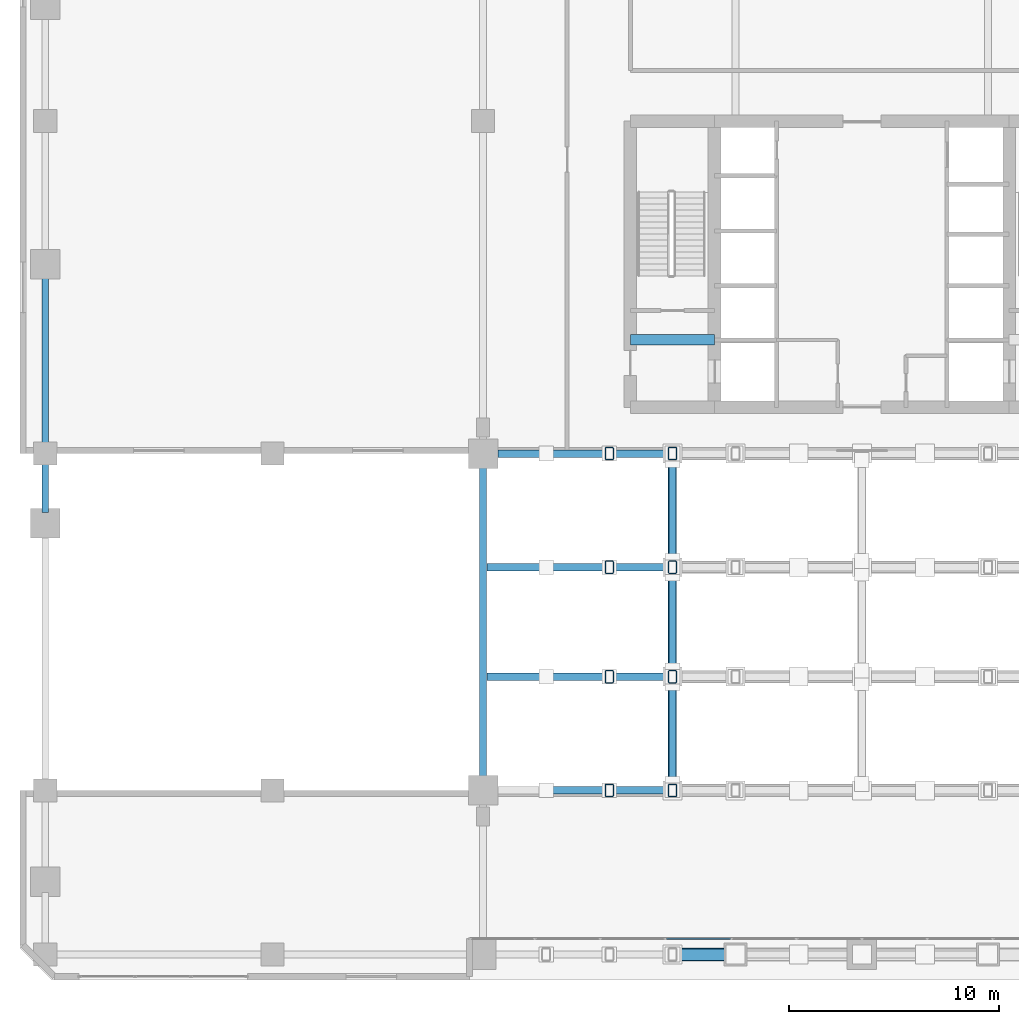
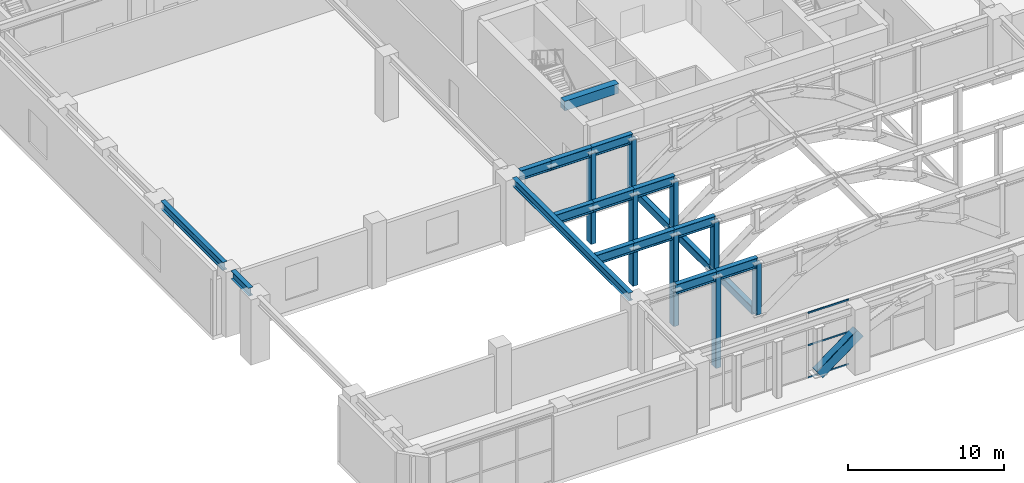
# One storey, part 6 of 32: 15 beams, 15 members, 1 element without a shape of its own.
"""IFC4 building model written with IfcOpenShell, lengths in metres."""

from ifc_helpers import new_model, si_unit, direction, frame, origin, origin_2d, place, context, subcontext, project, spatial, rectangle, hollow_rectangle, i_section, extrude, material, layer, layer_set, material_profile, profile_set, type_object, element, aggregate, save


model = new_model("IFC4")

# Units and contexts
model_context = context("Model", 3, precision=1e-05, world=origin(), true_north=direction((0.0, 1.0)))
body_context = subcontext(model_context, "Body", "Model", "MODEL_VIEW")
ifc_project = project(units=[si_unit("LENGTHUNIT", "METRE"), si_unit("AREAUNIT", "SQUARE_METRE"), si_unit("VOLUMEUNIT", "CUBIC_METRE"), si_unit("PLANEANGLEUNIT", "RADIAN"), si_unit("MASSUNIT", "GRAM", prefix="KILO")], contexts=[model_context])

# Site, building, storey
site_placement = place(None, origin())
site = spatial("IfcSite", under=ifc_project, at=site_placement, CompositionType="ELEMENT")
building_placement = place(site_placement, origin())
building = spatial("IfcBuilding", under=site, at=building_placement, Name="Sarneth Arch Tower", CompositionType="ELEMENT")
storey_placement = place(building_placement, frame((0.0, 0.0, 11.39990234375)))
storey = spatial("IfcBuildingStorey", under=building, at=storey_placement, Name="L02", CompositionType="ELEMENT", Elevation=11.39990234375)

# Beams
ifc_material_1 = material(Name="Concrete C50/60", Category="concrete")
ifc_material_profile_1 = material_profile(ifc_material_1, rectangle(XDim=0.5, YDim=0.75, at=origin_2d()), Name="RC-500x750")
ifc_profile_set_1 = profile_set([ifc_material_profile_1], Name="Concrete C50/60")
beam_type_1 = type_object("IfcBeamType", Name="BM-LINTEL-RC", PredefinedType="LINTEL", material=ifc_profile_set_1)
beam_1_placement = place(storey_placement, frame((37.0, 38.39990234375, 4.72509765625), z_axis=(1.0, 0.0, 0.0), x_axis=(0.0, 1.0, 0.0)))
element("IfcBeam", 1, at=beam_1_placement, inside=storey, type_object=beam_type_1, Name="L02 Core coupling lintel W", PredefinedType="LINTEL", context=body_context, shape_type="SweptSolid", body=[
    extrude(rectangle(XDim=0.5, YDim=0.75, at=origin_2d()), origin(), (0.0, 0.0, 1.0), 4.0),
])
ifc_material_2 = material(Name="Steel S355", Category="steel")
ifc_material_profile_2 = material_profile(ifc_material_2, i_section(OverallWidth=0.3291015625, OverallDepth=0.635009765625, WebThickness=0.017822265625, FlangeThickness=0.031005859375, FilletRadius=0.01904296875, at=origin_2d()), Name="W610x241")
ifc_profile_set_2 = profile_set([ifc_material_profile_2], Name="Steel S355")
beam_type_2 = type_object("IfcBeamType", Name="BM-POD-610", PredefinedType="BEAM", material=ifc_profile_set_2)
beam_2_placement = place(storey_placement, frame((9.199951171875, 30.2021484375, 4.78271484375), z_axis=(0.0, 1.0, 0.0), x_axis=(-1.0, 0.0, 0.0)))
element("IfcBeam", 2, at=beam_2_placement, inside=storey, type_object=beam_type_2, Name="L02 Podium PW girder 4", PredefinedType="BEAM", context=body_context, shape_type="SweptSolid", body=[
    extrude(i_section(OverallWidth=0.3291015625, OverallDepth=0.635009765625, WebThickness=0.017822265625, FlangeThickness=0.031005859375, FilletRadius=0.01904296875, at=origin_2d()), origin(), (0.0, 0.0, 1.0), 2.27783203125),
])
beam_3_placement = place(storey_placement, frame((9.199951171875, 33.52001953125, 4.78271484375), z_axis=(0.0, 1.0, 0.0), x_axis=(-1.0, 0.0, 0.0)))
element("IfcBeam", 3, at=beam_3_placement, inside=storey, type_object=beam_type_2, Name="L02 Podium PW girder 5", PredefinedType="BEAM", context=body_context, shape_type="SweptSolid", body=[
    extrude(i_section(OverallWidth=0.3291015625, OverallDepth=0.635009765625, WebThickness=0.017822265625, FlangeThickness=0.031005859375, FilletRadius=0.01904296875, at=origin_2d()), origin(), (0.0, 0.0, 1.0), 7.9599609375),
])
beam_4_placement = place(storey_placement, frame((30.0, 17.550048828125, 4.78271484375), z_axis=(0.0, 1.0, 0.0), x_axis=(-1.0, 0.0, 0.0)))
element("IfcBeam", 4, at=beam_4_placement, inside=storey, type_object=beam_type_2, Name="L02 Podium N-S girder W30.2", PredefinedType="BEAM", context=body_context, shape_type="SweptSolid", body=[
    extrude(i_section(OverallWidth=0.3291015625, OverallDepth=0.635009765625, WebThickness=0.017822265625, FlangeThickness=0.031005859375, FilletRadius=0.01904296875, at=origin_2d()), origin(), (0.0, 0.0, 1.0), 14.89990234375),
])
ifc_material_3 = material(Name="Steel S355", Category="steel")
ifc_material_profile_3 = material_profile(ifc_material_3, i_section(OverallWidth=0.35009765625, OverallDepth=0.75, WebThickness=0.01611328125, FlangeThickness=0.028076171875, FilletRadius=0.01806640625, at=origin_2d()), Name="CVS750x268")
ifc_profile_set_3 = profile_set([ifc_material_profile_3], Name="Steel S355")
beam_type_3 = type_object("IfcBeamType", Name="BM-POD-750", PredefinedType="BEAM", material=ifc_profile_set_3)
for number, where, z_axis, x_axis, name in (
    (5, (33.0, 17.0, 4.72509765625), (1.0, 0.0, 0.0), (0.0, 1.0, 0.0), "Podium arch top tie girder 2.2"),
    (6, (36.0, 17.0, 4.72509765625), (1.0, 0.0, 0.0), (0.0, 1.0, 0.0), "Podium arch top tie girder 2.3"),
):
    element("IfcBeam", number, at=place(storey_placement, frame(where, z_axis=z_axis, x_axis=x_axis)), inside=storey, type_object=beam_type_3, Name=name, PredefinedType="BEAM", context=body_context, shape_type="SweptSolid", body=[
        extrude(i_section(OverallWidth=0.35009765625, OverallDepth=0.75, WebThickness=0.01611328125, FlangeThickness=0.028076171875, FilletRadius=0.01806640625, at=origin_2d()), origin(), (0.0, 0.0, 1.0), 3.0),
    ])
beam_5_placement = place(storey_placement, frame((30.179931640625, 22.39990234375, 4.72509765625), z_axis=(1.0, 0.0, 0.0), x_axis=(0.0, 1.0, 0.0)))
element("IfcBeam", 7, at=beam_5_placement, inside=storey, type_object=beam_type_3, Name="Podium arch top tie girder 3.1", PredefinedType="BEAM", context=body_context, shape_type="SweptSolid", body=[
    extrude(i_section(OverallWidth=0.35009765625, OverallDepth=0.75, WebThickness=0.01611328125, FlangeThickness=0.028076171875, FilletRadius=0.01806640625, at=origin_2d()), origin(), (0.0, 0.0, 1.0), 2.820068359375),
])
for number, where, z_axis, x_axis, name in (
    (8, (33.0, 22.39990234375, 4.72509765625), (1.0, 0.0, 0.0), (0.0, 1.0, 0.0), "Podium arch top tie girder 3.2"),
    (9, (36.0, 22.39990234375, 4.72509765625), (1.0, 0.0, 0.0), (0.0, 1.0, 0.0), "Podium arch top tie girder 3.3"),
):
    element("IfcBeam", number, at=place(storey_placement, frame(where, z_axis=z_axis, x_axis=x_axis)), inside=storey, type_object=beam_type_3, Name=name, PredefinedType="BEAM", context=body_context, shape_type="SweptSolid", body=[
        extrude(i_section(OverallWidth=0.35009765625, OverallDepth=0.75, WebThickness=0.01611328125, FlangeThickness=0.028076171875, FilletRadius=0.01806640625, at=origin_2d()), origin(), (0.0, 0.0, 1.0), 3.0),
    ])
beam_6_placement = place(storey_placement, frame((30.179931640625, 27.60009765625, 4.72509765625), z_axis=(1.0, 0.0, 0.0), x_axis=(0.0, 1.0, 0.0)))
element("IfcBeam", 10, at=beam_6_placement, inside=storey, type_object=beam_type_3, Name="Podium arch top tie girder 4.1", PredefinedType="BEAM", context=body_context, shape_type="SweptSolid", body=[
    extrude(i_section(OverallWidth=0.35009765625, OverallDepth=0.75, WebThickness=0.01611328125, FlangeThickness=0.028076171875, FilletRadius=0.01806640625, at=origin_2d()), origin(), (0.0, 0.0, 1.0), 2.820068359375),
])
for number, where, z_axis, x_axis, name in (
    (11, (33.0, 27.60009765625, 4.72509765625), (1.0, 0.0, 0.0), (0.0, 1.0, 0.0), "Podium arch top tie girder 4.2"),
    (12, (36.0, 27.60009765625, 4.72509765625), (1.0, 0.0, 0.0), (0.0, 1.0, 0.0), "Podium arch top tie girder 4.3"),
):
    element("IfcBeam", number, at=place(storey_placement, frame(where, z_axis=z_axis, x_axis=x_axis)), inside=storey, type_object=beam_type_3, Name=name, PredefinedType="BEAM", context=body_context, shape_type="SweptSolid", body=[
        extrude(i_section(OverallWidth=0.35009765625, OverallDepth=0.75, WebThickness=0.01611328125, FlangeThickness=0.028076171875, FilletRadius=0.01806640625, at=origin_2d()), origin(), (0.0, 0.0, 1.0), 3.0),
    ])
beam_7_placement = place(storey_placement, frame((30.699951171875, 33.0, 4.72509765625), z_axis=(1.0, 0.0, 0.0), x_axis=(0.0, 1.0, 0.0)))
element("IfcBeam", 13, at=beam_7_placement, inside=storey, type_object=beam_type_3, Name="Podium arch top tie girder 5.1", PredefinedType="BEAM", context=body_context, shape_type="SweptSolid", body=[
    extrude(i_section(OverallWidth=0.35009765625, OverallDepth=0.75, WebThickness=0.01611328125, FlangeThickness=0.028076171875, FilletRadius=0.01806640625, at=origin_2d()), origin(), (0.0, 0.0, 1.0), 2.300048828125),
])
for number, where, z_axis, x_axis, name in (
    (14, (33.0, 33.0, 4.72509765625), (1.0, 0.0, 0.0), (0.0, 1.0, 0.0), "Podium arch top tie girder 5.2"),
    (15, (36.0, 33.0, 4.72509765625), (1.0, 0.0, 0.0), (0.0, 1.0, 0.0), "Podium arch top tie girder 5.3"),
):
    element("IfcBeam", number, at=place(storey_placement, frame(where, z_axis=z_axis, x_axis=x_axis)), inside=storey, type_object=beam_type_3, Name=name, PredefinedType="BEAM", context=body_context, shape_type="SweptSolid", body=[
        extrude(i_section(OverallWidth=0.35009765625, OverallDepth=0.75, WebThickness=0.01611328125, FlangeThickness=0.028076171875, FilletRadius=0.01806640625, at=origin_2d()), origin(), (0.0, 0.0, 1.0), 3.0),
    ])

# Curtain wall, members
ifc_material_4 = material(Name="Anodised aluminium Type AA25 and solar-control low-e laminated IGU", Category="aluminium")
ifc_layer = layer(ifc_material_4, 0.199951171875)
ifc_layer_set = layer_set([ifc_layer], Name="Anodised aluminium Type AA25 and solar-control low-e laminated IGU")
curtain_wall_type = type_object("IfcCurtainWallType", Name="CW-ARCH-GLAZE", PredefinedType="NOTDEFINED", material=ifc_layer_set)
curtain_wall_placement = place(storey_placement, origin())
curtain_wall = element("IfcCurtainWall", 16, at=curtain_wall_placement, inside=storey, type_object=curtain_wall_type, Name="L02 South parabolic arch portal curtain wall", PredefinedType="NOTDEFINED")
ifc_material_5 = material(Name="Anodised Aluminium 6063-T6", Category="aluminium")
ifc_material_profile_4 = material_profile(ifc_material_5, hollow_rectangle(XDim=0.06005859375, YDim=0.1201171875, WallThickness=0.00390625, at=origin_2d()), Name="AL-TRAN-120x60x4")
ifc_profile_set_4 = profile_set([ifc_material_profile_4], Name="Anodised Aluminium 6063-T6")
member_type_1 = type_object("IfcMemberType", Name="CW-TRANSOM", PredefinedType="USERDEFINED", material=ifc_profile_set_4)
member_1_placement = place(storey_placement, frame((38.705078125, 9.949951171875, 0.030029296875), z_axis=(1.0, 0.0, 0.0), x_axis=(0.0, 1.0, 0.0)))
member_1 = element("IfcMember", 17, at=member_1_placement, type_object=member_type_1, Name="CW-SYS-2 transom 4.1", ObjectType="TRANSOM", PredefinedType="USERDEFINED", context=body_context, shape_type="SweptSolid", body=[
    extrude(hollow_rectangle(XDim=0.06005859375, YDim=0.1201171875, WallThickness=0.00390625, at=origin_2d()), origin(), (0.0, 0.0, 1.0), 3.04833984375),
])
member_2_placement = place(storey_placement, frame((38.705078125, 9.949951171875, 2.550048828125), z_axis=(1.0, 0.0, 0.0), x_axis=(0.0, 1.0, 0.0)))
member_2 = element("IfcMember", 18, at=member_2_placement, type_object=member_type_1, Name="CW-SYS-2 transom 4.2", ObjectType="TRANSOM", PredefinedType="USERDEFINED", context=body_context, shape_type="SweptSolid", body=[
    extrude(hollow_rectangle(XDim=0.06005859375, YDim=0.1201171875, WallThickness=0.00390625, at=origin_2d()), origin(), (0.0, 0.0, 1.0), 3.04833984375),
])
member_3_placement = place(storey_placement, frame((38.705078125, 9.949951171875, 5.070068359375), z_axis=(1.0, 0.0, 0.0), x_axis=(0.0, 1.0, 0.0)))
member_3 = element("IfcMember", 19, at=member_3_placement, type_object=member_type_1, Name="CW-SYS-2 transom 4.3", ObjectType="TRANSOM", PredefinedType="USERDEFINED", context=body_context, shape_type="SweptSolid", body=[
    extrude(hollow_rectangle(XDim=0.06005859375, YDim=0.1201171875, WallThickness=0.00390625, at=origin_2d()), origin(), (0.0, 0.0, 1.0), 3.04833984375),
])
aggregate(curtain_wall, [member_1, member_2, member_3])

# Members
ifc_material_6 = material(Name="Steel S355", Category="steel")
ifc_material_profile_5 = material_profile(ifc_material_6, hollow_rectangle(XDim=0.60009765625, YDim=0.800048828125, WallThickness=0.028076171875, InnerFilletRadius=0.0419921875, OuterFilletRadius=0.070068359375, at=origin_2d()), Name="RHS800x600x28")
ifc_profile_set_5 = profile_set([ifc_material_profile_5], Name="Steel S355")
member_type_2 = type_object("IfcMemberType", Name="MEM-ARCH-CHORD", PredefinedType="CHORD", material=ifc_profile_set_5)
member_4_placement = place(storey_placement, frame((39.0, 9.199951171875, 0.7314453125), z_axis=(0.804002053977, 0.0, 0.594626519087), x_axis=(0.0, 1.0, 0.0)))
element("IfcMember", 20, at=member_4_placement, inside=storey, type_object=member_type_2, Name="Podium parabolic arch rib 1 segment 4", PredefinedType="CHORD", context=body_context, shape_type="SweptSolid", body=[
    extrude(hollow_rectangle(XDim=0.60009765625, YDim=0.800048828125, WallThickness=0.028076171875, InnerFilletRadius=0.0419921875, OuterFilletRadius=0.070068359375, at=origin_2d()), origin(), (0.0, 0.0, 1.0), 3.7314453125),
])
ifc_material_7 = material(Name="Steel S355", Category="steel")
ifc_material_profile_6 = material_profile(ifc_material_7, hollow_rectangle(XDim=0.39990234375, YDim=0.60009765625, WallThickness=0.02197265625, InnerFilletRadius=0.032958984375, OuterFilletRadius=0.054931640625, at=origin_2d()), Name="RHS600x400x22")
ifc_profile_set_6 = profile_set([ifc_material_profile_6], Name="Steel S355")
member_type_3 = type_object("IfcMemberType", Name="MEM-ARCH-WEB", PredefinedType="BRACE", material=ifc_profile_set_6)
member_5_placement = place(storey_placement, frame((36.0, 17.0, -2.375), z_axis=(0.0, 0.0, 1.0), x_axis=(1.0, 0.0, 0.0)))
element("IfcMember", 21, at=member_5_placement, inside=storey, type_object=member_type_3, Name="Podium arch spandrel post 2.2", PredefinedType="BRACE", context=body_context, shape_type="SweptSolid", body=[
    extrude(hollow_rectangle(XDim=0.39990234375, YDim=0.60009765625, WallThickness=0.02197265625, InnerFilletRadius=0.032958984375, OuterFilletRadius=0.054931640625, at=origin_2d()), origin(), (0.0, 0.0, 1.0), 7.10009765625),
])
member_6_placement = place(storey_placement, frame((39.0, 17.0, 0.7314453125), z_axis=(0.0, 0.0, 1.0), x_axis=(1.0, 0.0, 0.0)))
element("IfcMember", 22, at=member_6_placement, inside=storey, type_object=member_type_3, Name="Podium arch spandrel post 2.3", PredefinedType="BRACE", context=body_context, shape_type="SweptSolid", body=[
    extrude(hollow_rectangle(XDim=0.39990234375, YDim=0.60009765625, WallThickness=0.02197265625, InnerFilletRadius=0.032958984375, OuterFilletRadius=0.054931640625, at=origin_2d()), origin(), (0.0, 0.0, 1.0), 3.99365234375),
])
member_7_placement = place(storey_placement, frame((36.0, 22.39990234375, -2.375), z_axis=(0.0, 0.0, 1.0), x_axis=(1.0, 0.0, 0.0)))
element("IfcMember", 23, at=member_7_placement, inside=storey, type_object=member_type_3, Name="Podium arch spandrel post 3.2", PredefinedType="BRACE", context=body_context, shape_type="SweptSolid", body=[
    extrude(hollow_rectangle(XDim=0.39990234375, YDim=0.60009765625, WallThickness=0.02197265625, InnerFilletRadius=0.032958984375, OuterFilletRadius=0.054931640625, at=origin_2d()), origin(), (0.0, 0.0, 1.0), 7.10009765625),
])
member_8_placement = place(storey_placement, frame((39.0, 22.39990234375, 0.7314453125), z_axis=(0.0, 0.0, 1.0), x_axis=(1.0, 0.0, 0.0)))
element("IfcMember", 24, at=member_8_placement, inside=storey, type_object=member_type_3, Name="Podium arch spandrel post 3.3", PredefinedType="BRACE", context=body_context, shape_type="SweptSolid", body=[
    extrude(hollow_rectangle(XDim=0.39990234375, YDim=0.60009765625, WallThickness=0.02197265625, InnerFilletRadius=0.032958984375, OuterFilletRadius=0.054931640625, at=origin_2d()), origin(), (0.0, 0.0, 1.0), 3.99365234375),
])
member_9_placement = place(storey_placement, frame((36.0, 27.60009765625, -2.375), z_axis=(0.0, 0.0, 1.0), x_axis=(1.0, 0.0, 0.0)))
element("IfcMember", 25, at=member_9_placement, inside=storey, type_object=member_type_3, Name="Podium arch spandrel post 4.2", PredefinedType="BRACE", context=body_context, shape_type="SweptSolid", body=[
    extrude(hollow_rectangle(XDim=0.39990234375, YDim=0.60009765625, WallThickness=0.02197265625, InnerFilletRadius=0.032958984375, OuterFilletRadius=0.054931640625, at=origin_2d()), origin(), (0.0, 0.0, 1.0), 7.10009765625),
])
member_10_placement = place(storey_placement, frame((39.0, 27.60009765625, 0.7314453125), z_axis=(0.0, 0.0, 1.0), x_axis=(1.0, 0.0, 0.0)))
element("IfcMember", 26, at=member_10_placement, inside=storey, type_object=member_type_3, Name="Podium arch spandrel post 4.3", PredefinedType="BRACE", context=body_context, shape_type="SweptSolid", body=[
    extrude(hollow_rectangle(XDim=0.39990234375, YDim=0.60009765625, WallThickness=0.02197265625, InnerFilletRadius=0.032958984375, OuterFilletRadius=0.054931640625, at=origin_2d()), origin(), (0.0, 0.0, 1.0), 3.99365234375),
])
member_11_placement = place(storey_placement, frame((36.0, 33.0, -2.375), z_axis=(0.0, 0.0, 1.0), x_axis=(1.0, 0.0, 0.0)))
element("IfcMember", 27, at=member_11_placement, inside=storey, type_object=member_type_3, Name="Podium arch spandrel post 5.2", PredefinedType="BRACE", context=body_context, shape_type="SweptSolid", body=[
    extrude(hollow_rectangle(XDim=0.39990234375, YDim=0.60009765625, WallThickness=0.02197265625, InnerFilletRadius=0.032958984375, OuterFilletRadius=0.054931640625, at=origin_2d()), origin(), (0.0, 0.0, 1.0), 7.10009765625),
])
member_12_placement = place(storey_placement, frame((39.0, 33.0, 0.7314453125), z_axis=(0.0, 0.0, 1.0), x_axis=(1.0, 0.0, 0.0)))
element("IfcMember", 28, at=member_12_placement, inside=storey, type_object=member_type_3, Name="Podium arch spandrel post 5.3", PredefinedType="BRACE", context=body_context, shape_type="SweptSolid", body=[
    extrude(hollow_rectangle(XDim=0.39990234375, YDim=0.60009765625, WallThickness=0.02197265625, InnerFilletRadius=0.032958984375, OuterFilletRadius=0.054931640625, at=origin_2d()), origin(), (0.0, 0.0, 1.0), 3.99365234375),
])
member_13_placement = place(storey_placement, frame((39.0, 17.300048828125, 0.7314453125), z_axis=(0.0, 1.0, 0.0), x_axis=(-1.0, 0.0, 0.0)))
element("IfcMember", 29, at=member_13_placement, inside=storey, type_object=member_type_3, Name="Podium arch lateral tie 3.17", PredefinedType="BRACE", context=body_context, shape_type="SweptSolid", body=[
    extrude(hollow_rectangle(XDim=0.39990234375, YDim=0.60009765625, WallThickness=0.02197265625, InnerFilletRadius=0.032958984375, OuterFilletRadius=0.054931640625, at=origin_2d()), origin(), (0.0, 0.0, 1.0), 4.800048828125),
])
member_14_placement = place(storey_placement, frame((39.0, 22.699951171875, 0.7314453125), z_axis=(0.0, 1.0, 0.0), x_axis=(-1.0, 0.0, 0.0)))
element("IfcMember", 30, at=member_14_placement, inside=storey, type_object=member_type_3, Name="Podium arch lateral tie 3.22", PredefinedType="BRACE", context=body_context, shape_type="SweptSolid", body=[
    extrude(hollow_rectangle(XDim=0.39990234375, YDim=0.60009765625, WallThickness=0.02197265625, InnerFilletRadius=0.032958984375, OuterFilletRadius=0.054931640625, at=origin_2d()), origin(), (0.0, 0.0, 1.0), 4.60009765625),
])
member_15_placement = place(storey_placement, frame((39.0, 27.89990234375, 0.7314453125), z_axis=(0.0, 1.0, 0.0), x_axis=(-1.0, 0.0, 0.0)))
element("IfcMember", 31, at=member_15_placement, inside=storey, type_object=member_type_3, Name="Podium arch lateral tie 3.27", PredefinedType="BRACE", context=body_context, shape_type="SweptSolid", body=[
    extrude(hollow_rectangle(XDim=0.39990234375, YDim=0.60009765625, WallThickness=0.02197265625, InnerFilletRadius=0.032958984375, OuterFilletRadius=0.054931640625, at=origin_2d()), origin(), (0.0, 0.0, 1.0), 4.800048828125),
])

save(model, "model.ifc")
